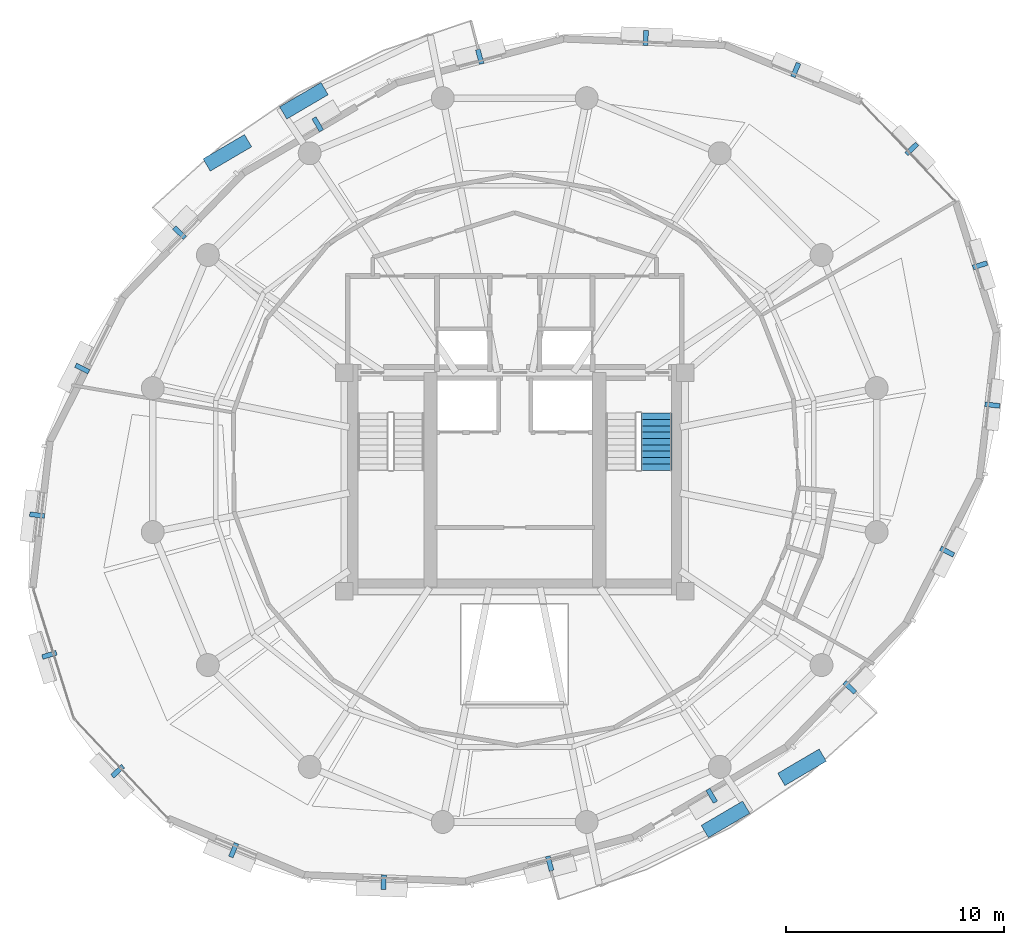
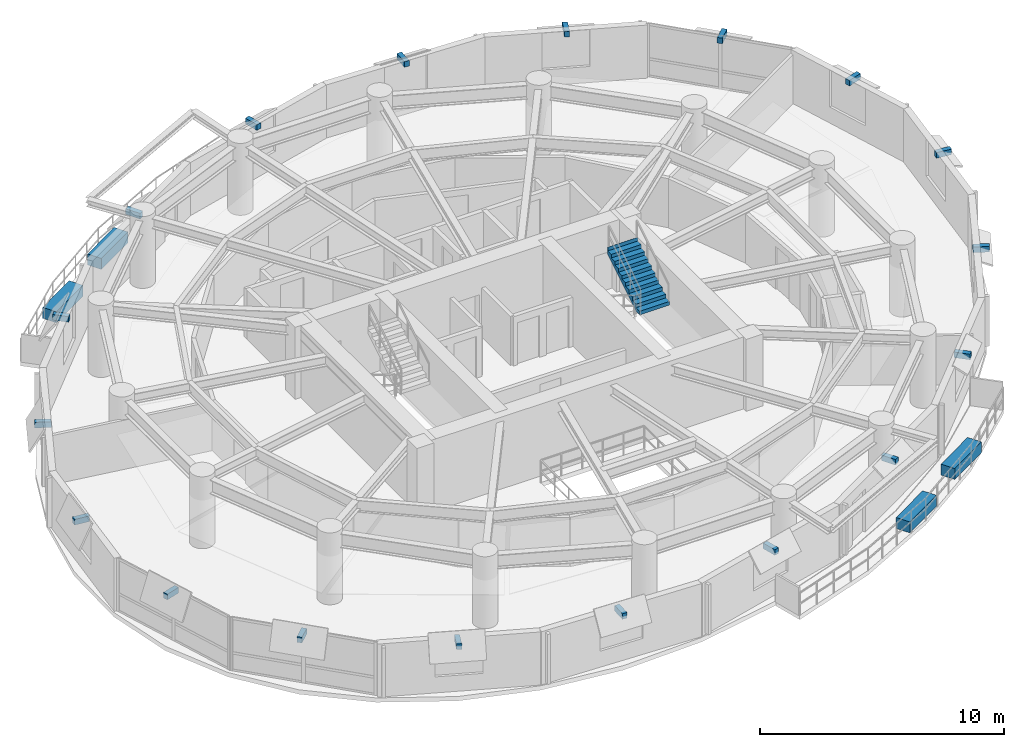
# One storey, part 12 of 14: 22 discrete accessories, 1 stair flight, 1 element without a shape of its own.
"""IFC4 building model written with IfcOpenShell, lengths in metres."""

from ifc_helpers import new_model, si_unit, direction, frame, origin, origin_2d, place, context, subcontext, project, spatial, polyline, rectangle, outline, extrude, material, type_object, element, aggregate, save


model = new_model("IFC4")

# Units and contexts
model_context = context("Model", 3, precision=1e-05, world=origin(), true_north=direction((0.0, 1.0)))
body_context = subcontext(model_context, "Body", "Model", "MODEL_VIEW")
ifc_project = project(units=[si_unit("LENGTHUNIT", "METRE"), si_unit("AREAUNIT", "SQUARE_METRE"), si_unit("VOLUMEUNIT", "CUBIC_METRE"), si_unit("PLANEANGLEUNIT", "RADIAN"), si_unit("MASSUNIT", "GRAM", prefix="KILO"), si_unit("THERMODYNAMICTEMPERATUREUNIT", "KELVIN"), si_unit("POWERUNIT", "WATT")], contexts=[model_context])

# Site, building, storey
site_placement = place(None, origin())
site = spatial("IfcSite", under=ifc_project, at=site_placement, CompositionType="ELEMENT")
building_placement = place(site_placement, origin())
building = spatial("IfcBuilding", under=site, at=building_placement, Name="Ocrelia Relay Tower", CompositionType="ELEMENT")
storey_placement = place(building_placement, frame((0.0, 0.0, 162.800048828125)))
storey = spatial("IfcBuildingStorey", under=building, at=storey_placement, Name="L38", CompositionType="ELEMENT", Elevation=162.800048828125)

# Stair, stair flight
ifc_material_1 = material(Name="Concrete C50/60", Category="concrete")
stair_type = type_object("IfcStairType", Name="ST-DL-1420-R180", PredefinedType="HALF_TURN_STAIR", material=ifc_material_1)
stair_placement = place(storey_placement, origin())
stair = element("IfcStair", 1, at=stair_placement, inside=storey, type_object=stair_type, Name="L38 East Core Exit Stair ST2", PredefinedType="HALF_TURN_STAIR")
stair_flight_type = type_object("IfcStairFlightType", Name="STF-DL-1420-R180", PredefinedType="STRAIGHT", material=ifc_material_1)
stair_flight_placement = place(storey_placement, frame((40.489990234375, 25.5400390625, 1.800048828125), z_axis=(0.0, 0.0, 1.0), x_axis=(0.0, 1.0, 0.0)))
stair_flight = element("IfcStairFlight", 2, at=stair_flight_placement, type_object=stair_flight_type, Name="ST2 flight 2", NumberOfRisers=10, NumberOfTreads=9, PredefinedType="STRAIGHT", RiserHeight=0.18, TreadLength=0.29, context=body_context, shape_type="SweptSolid", body=[
    extrude(outline(polyline([(-0.008056640625, 0.0), (-0.008056640625, 0.179931640625), (0.0, 0.179931640625), (0.2900390625, 0.179931640625), (0.2900390625, 0.360107421875), (0.580078125, 0.360107421875), (0.580078125, 0.5400390625), (0.8701171875, 0.5400390625), (0.8701171875, 0.719970703125), (1.159912109375, 0.719970703125), (1.159912109375, 0.89990234375), (1.449951171875, 0.89990234375), (1.449951171875, 1.080078125), (1.739990234375, 1.080078125), (1.739990234375, 1.260009765625), (2.030029296875, 1.260009765625), (2.030029296875, 1.43994140625), (2.320068359375, 1.43994140625), (2.320068359375, 1.6201171875), (2.610107421875, 1.6201171875), (2.610107421875, 1.800048828125), (2.617919921875, 1.800048828125), (2.617919921875, 1.443603515625), (0.2841796875, 0.0), (-0.008056640625, 0.0)])), frame((0.0, 0.7099609375, 0.0), z_axis=(0.0, -1.0, 0.0), x_axis=(1.0, 0.0, 0.0)), (0.0, 0.0, 1.0), 1.419921875),
])
aggregate(stair, [stair_flight])

# Discrete accessories
ifc_material_2 = material(Name="Precast concrete C40/50 planter with highland greenery", Category="concrete")
discrete_accessory_type_1 = type_object("IfcDiscreteAccessoryType", Name="ACC-BALC-PLANTER", PredefinedType="USERDEFINED", material=ifc_material_2)
for number, where, z_axis, x_axis, name in (
    (3, (24.34619140625, 42.45458984375, 0.0), (0.0, 0.0, 1.0), (0.862505708241, 0.506047333015, 0.0), "L38 Balcony Terracotta Planter with Greenery B1"),
    (4, (20.841796875, 40.0693359375, 0.0), (0.0, 0.0, 1.0), (0.862505708241, 0.506047333015, 0.0), "L38 Balcony Terracotta Planter B1-2"),
    (5, (43.65380859375, 9.54541015625, 0.0), (0.0, 0.0, 1.0), (-0.862505708241, -0.506047333015, 0.0), "L38 Balcony Terracotta Planter with Greenery B2"),
    (6, (47.158203125, 11.9306640625, 0.0), (0.0, 0.0, 1.0), (-0.862505708241, -0.506047333015, 0.0), "L38 Balcony Terracotta Planter B2-2"),
):
    element("IfcDiscreteAccessory", number, at=place(storey_placement, frame(where, z_axis=z_axis, x_axis=x_axis)), inside=storey, type_object=discrete_accessory_type_1, Name=name, ObjectType="PLANTER", PredefinedType="USERDEFINED", context=body_context, shape_type="SweptSolid", body=[
        extrude(rectangle(XDim=2.199951171875, YDim=0.64990234375, at=origin_2d()), origin(), (0.0, 0.0, 1.0), 0.550048828125),
    ])
ifc_material_3 = material(Name="Steel S355", Category="steel")
discrete_accessory_type_2 = type_object("IfcDiscreteAccessoryType", Name="ACC-VISOR-BRACKET", PredefinedType="BRACKET", material=ifc_material_3)
for number, where, z_axis, x_axis, name in (
    (7, (52.1826171875, 40.247802734375, 2.35986328125), (0.0, 0.0, 1.0), (-0.686840832526, 0.726807863727, 0.0), "L38 Visor Mounting Bracket 01"),
    (8, (46.8701171875, 43.863525390625, 2.35986328125), (0.0, 0.0, 1.0), (-0.923498332279, 0.383602437788, 0.0), "L38 Visor Mounting Bracket 02"),
    (9, (40.001953125, 45.333984375, 2.35986328125), (0.0, 0.0, 1.0), (-0.999197543232, 0.04005333442, 0.0), "L38 Visor Mounting Bracket 03"),
    (10, (32.398193359375, 44.47509765625, 2.35986328125), (0.0, 0.0, 1.0), (-0.966634518622, -0.256159535073, 0.0), "L38 Visor Mounting Bracket 04"),
    (11, (24.978515625, 41.376953125, 2.35986328125), (0.0, 0.0, 1.0), (-0.862513161908, -0.506034628791, 0.0), "L38 Visor Mounting Bracket 05"),
    (12, (18.654052734375, 36.411376953125, 2.35986328125), (0.0, 0.0, 1.0), (-0.695187718284, -0.718828238418, 0.0), "L38 Visor Mounting Bracket 06"),
    (13, (14.194580078125, 30.193115234375, 2.35986328125), (0.0, 0.0, 1.0), (-0.452499386618, -0.891764713986, 0.0), "L38 Visor Mounting Bracket 07"),
    (14, (12.127685546875, 23.48046875, 2.35986328125), (0.0, 0.0, 1.0), (-0.115700545281, -0.993284140527, 0.0), "L38 Visor Mounting Bracket 08"),
    (15, (12.6923828125, 17.078857421875, 2.35986328125), (0.0, 0.0, 1.0), (0.299375021731, -0.954135523059, 0.0), "L38 Visor Mounting Bracket 09"),
    (16, (15.8173828125, 11.752197265625, 2.35986328125), (0.0, 0.0, 1.0), (0.686840832526, -0.726807863727, 0.0), "L38 Visor Mounting Bracket 10"),
    (17, (21.1298828125, 8.136474609375, 2.35986328125), (0.0, 0.0, 1.0), (0.923498332279, -0.383602437788, 0.0), "L38 Visor Mounting Bracket 11"),
    (18, (27.998046875, 6.666015625, 2.35986328125), (0.0, 0.0, 1.0), (0.999197543232, -0.04005333442, 0.0), "L38 Visor Mounting Bracket 12"),
    (19, (35.601806640625, 7.52490234375, 2.35986328125), (0.0, 0.0, 1.0), (0.966634518622, 0.256159535073, 0.0), "L38 Visor Mounting Bracket 13"),
    (20, (43.021484375, 10.623046875, 2.35986328125), (0.0, 0.0, 1.0), (0.862513161908, 0.506034628791, 0.0), "L38 Visor Mounting Bracket 14"),
    (21, (49.345947265625, 15.588623046875, 2.35986328125), (0.0, 0.0, 1.0), (0.695187718284, 0.718828238418, 0.0), "L38 Visor Mounting Bracket 15"),
    (22, (53.805419921875, 21.806884765625, 2.35986328125), (0.0, 0.0, 1.0), (0.452499386618, 0.891764713986, 0.0), "L38 Visor Mounting Bracket 16"),
    (23, (55.872314453125, 28.51953125, 2.35986328125), (0.0, 0.0, 1.0), (0.115700545281, 0.993284140527, 0.0), "L38 Visor Mounting Bracket 17"),
    (24, (55.3076171875, 34.921142578125, 2.35986328125), (0.0, 0.0, 1.0), (-0.299375021731, 0.954135523059, 0.0), "L38 Visor Mounting Bracket 18"),
):
    element("IfcDiscreteAccessory", number, at=place(storey_placement, frame(where, z_axis=z_axis, x_axis=x_axis)), inside=storey, type_object=discrete_accessory_type_2, Name=name, PredefinedType="BRACKET", context=body_context, shape_type="SweptSolid", body=[
        extrude(rectangle(XDim=0.219970703125, YDim=0.679931640625, at=origin_2d()), origin(), (0.0, 0.0, 1.0), 0.280029296875),
    ])

save(model, "model.ifc")
